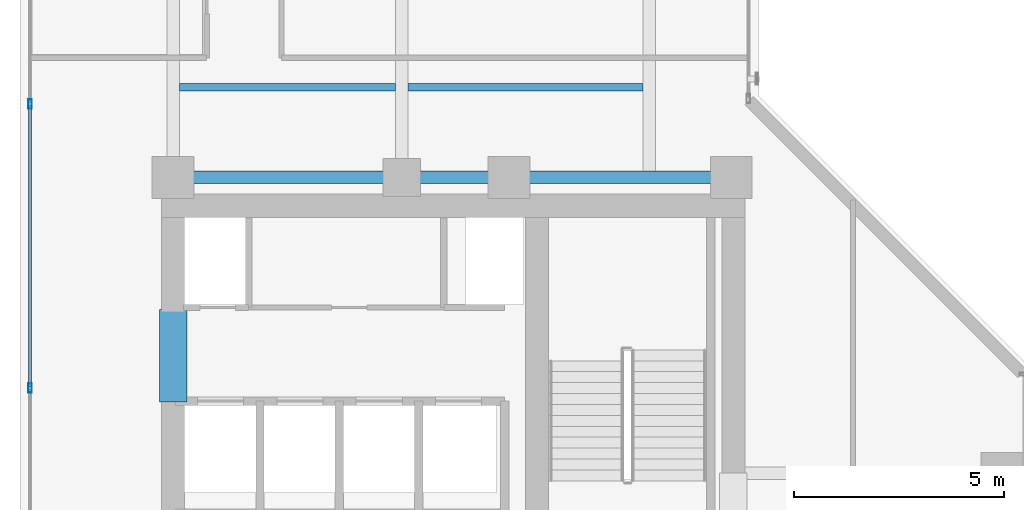
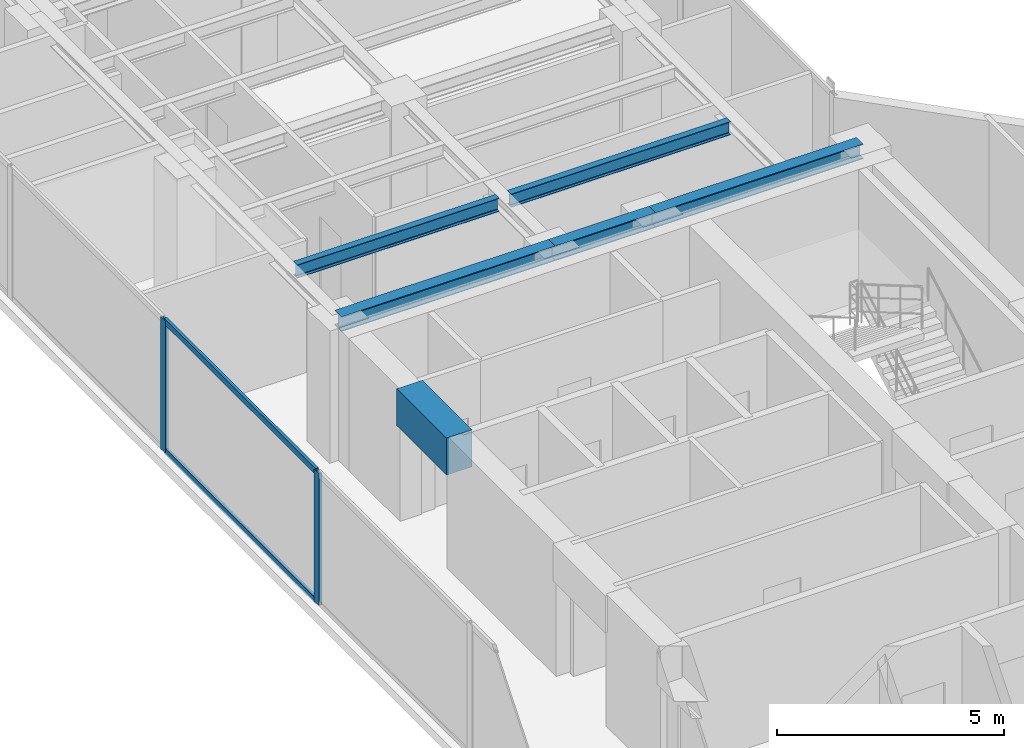
# One storey, part 7 of 23: 6 beams, 4 members, 1 element without a shape of its own.
"""IFC4 building model written with IfcOpenShell, lengths in metres."""

from ifc_helpers import new_model, si_unit, direction, frame, origin, origin_with_axes, origin_2d, place, context, subcontext, project, spatial, rectangle, hollow_rectangle, i_section, extrude, source, transform, mapped, material, layer, layer_set, material_profile, profile_set, type_object, element, aggregate, save


model = new_model("IFC4")

# Units and contexts
model_context = context("Model", 3, precision=1e-05, world=origin(), true_north=direction((0.0, 1.0)))
body_context = subcontext(model_context, "Body", "Model", "MODEL_VIEW")
ifc_project = project(units=[si_unit("LENGTHUNIT", "METRE"), si_unit("AREAUNIT", "SQUARE_METRE"), si_unit("VOLUMEUNIT", "CUBIC_METRE"), si_unit("PLANEANGLEUNIT", "RADIAN"), si_unit("MASSUNIT", "GRAM", prefix="KILO")], contexts=[model_context])

# Site, building, storey
site_placement = place(None, origin())
site = spatial("IfcSite", under=ifc_project, at=site_placement, CompositionType="ELEMENT")
building_placement = place(site_placement, origin())
building = spatial("IfcBuilding", under=site, at=building_placement, Name="Kolvaren Waterfront Exchange", CompositionType="ELEMENT")
storey_placement = place(building_placement, frame((0.0, 0.0, 231.10009765625)))
storey = spatial("IfcBuildingStorey", under=building, at=storey_placement, Name="L59", CompositionType="ELEMENT", Elevation=231.10009765625)

# Beams
ifc_material_1 = material(Name="Steel S355", Category="steel")
ifc_material_profile_1 = material_profile(ifc_material_1, i_section(OverallWidth=0.300048828125, OverallDepth=0.39990234375, WebThickness=0.013427734375, FlangeThickness=0.02392578125, FilletRadius=0.027099609375, at=origin_2d()), Name="HEB400")
ifc_profile_set_1 = profile_set([ifc_material_profile_1], Name="Steel S355")
beam_type_1 = type_object("IfcBeamType", Name="STR-BM-HEB400", PredefinedType="BEAM", material=ifc_profile_set_1)
beam_1_placement = place(storey_placement, frame((7.449951171875, 24.449951171875, 3.35986328125), z_axis=(1.0, 0.0, 0.0), x_axis=(0.0, 1.0, 0.0)))
element("IfcBeam", 1, at=beam_1_placement, inside=storey, type_object=beam_type_1, Name="L59 north-arm girder 1A", PredefinedType="BEAM", context=body_context, shape_type="SweptSolid", body=[
    extrude(i_section(OverallWidth=0.300048828125, OverallDepth=0.39990234375, WebThickness=0.013427734375, FlangeThickness=0.02392578125, FilletRadius=0.027099609375, at=origin_2d()), origin(), (0.0, 0.0, 1.0), 5.449951171875),
])
beam_2_placement = place(storey_placement, frame((12.89990234375, 24.449951171875, 3.35986328125), z_axis=(1.0, 0.0, 0.0), x_axis=(0.0, 1.0, 0.0)))
element("IfcBeam", 2, at=beam_2_placement, inside=storey, type_object=beam_type_1, Name="L59 north-arm girder 1B", PredefinedType="BEAM", context=body_context, shape_type="SweptSolid", body=[
    extrude(i_section(OverallWidth=0.300048828125, OverallDepth=0.39990234375, WebThickness=0.013427734375, FlangeThickness=0.02392578125, FilletRadius=0.027099609375, at=origin_2d()), origin(), (0.0, 0.0, 1.0), 2.550048828125),
])
beam_3_placement = place(storey_placement, frame((15.449951171875, 24.449951171875, 3.35986328125), z_axis=(1.0, 0.0, 0.0), x_axis=(0.0, 1.0, 0.0)))
element("IfcBeam", 3, at=beam_3_placement, inside=storey, type_object=beam_type_1, Name="L59 north-arm girder 1C", PredefinedType="BEAM", context=body_context, shape_type="SweptSolid", body=[
    extrude(i_section(OverallWidth=0.300048828125, OverallDepth=0.39990234375, WebThickness=0.013427734375, FlangeThickness=0.02392578125, FilletRadius=0.027099609375, at=origin_2d()), origin(), (0.0, 0.0, 1.0), 5.300048828125),
])
ifc_material_profile_2 = material_profile(ifc_material_1, i_section(OverallWidth=0.169921875, OverallDepth=0.360107421875, WebThickness=0.008056640625, FlangeThickness=0.0126953125, FilletRadius=0.01806640625, at=origin_2d()), Name="IPE360")
ifc_profile_set_2 = profile_set([ifc_material_profile_2], Name="Steel S355")
beam_type_2 = type_object("IfcBeamType", Name="STR-BM-IPE360", PredefinedType="JOIST", material=ifc_profile_set_2)
beam_4_placement = place(storey_placement, frame((7.60205078125, 26.60009765625, 3.3798828125), z_axis=(1.0, 0.0, 0.0), x_axis=(0.0, 1.0, 0.0)))
element("IfcBeam", 4, at=beam_4_placement, inside=storey, type_object=beam_type_2, Name="L59 north-arm composite joist 1A", PredefinedType="JOIST", context=body_context, shape_type="SweptSolid", body=[
    extrude(i_section(OverallWidth=0.169921875, OverallDepth=0.360107421875, WebThickness=0.008056640625, FlangeThickness=0.0126953125, FilletRadius=0.01806640625, at=origin_2d()), origin(), (0.0, 0.0, 1.0), 5.14599609375),
])
beam_5_placement = place(storey_placement, frame((13.052001953125, 26.60009765625, 3.3798828125), z_axis=(1.0, 0.0, 0.0), x_axis=(0.0, 1.0, 0.0)))
element("IfcBeam", 5, at=beam_5_placement, inside=storey, type_object=beam_type_2, Name="L59 north-arm composite joist 1B", PredefinedType="JOIST", context=body_context, shape_type="SweptSolid", body=[
    extrude(i_section(OverallWidth=0.169921875, OverallDepth=0.360107421875, WebThickness=0.008056640625, FlangeThickness=0.0126953125, FilletRadius=0.01806640625, at=origin_2d()), origin(), (0.0, 0.0, 1.0), 5.595947265625),
])
ifc_material_2 = material(Name="Concrete C60/75", Category="concrete")
ifc_material_profile_3 = material_profile(ifc_material_2, rectangle(XDim=0.64990234375, YDim=1.0, at=origin_2d()), Name="RC-CB-1000x650")
ifc_profile_set_3 = profile_set([ifc_material_profile_3], Name="Concrete C60/75")
beam_type_3 = type_object("IfcBeamType", Name="STR-CB-1000", PredefinedType="SPANDREL", material=ifc_profile_set_3)
beam_6_placement = place(storey_placement, frame((7.449951171875, 19.10009765625, 3.059814453125), z_axis=(0.0, 1.0, 0.0), x_axis=(-1.0, 0.0, 0.0)))
element("IfcBeam", 6, at=beam_6_placement, inside=storey, type_object=beam_type_3, Name="L59 core coupling beam 5", PredefinedType="SPANDREL", context=body_context, shape_type="SweptSolid", body=[
    extrude(rectangle(XDim=0.64990234375, YDim=1.0, at=origin_2d()), origin(), (0.0, 0.0, 1.0), 2.199951171875),
])

# Curtain wall, members
ifc_material_3 = material(Name="Anodised aluminium 6063-T6", Category="aluminium")
ifc_layer = layer(ifc_material_3, 0.219970703125, Name="Anodised aluminium 6063-T6")
ifc_layer_set = layer_set([ifc_layer], Name="Anodised aluminium 6063-T6")
curtain_wall_type = type_object("IfcCurtainWallType", Name="ARC-CW-SYS2", PredefinedType="USERDEFINED", material=ifc_layer_set)
curtain_wall_placement = place(storey_placement, origin())
curtain_wall = element("IfcCurtainWall", 7, at=curtain_wall_placement, inside=storey, type_object=curtain_wall_type, Name="L59 stick curtain wall CW2 (CW-L59-W)", ObjectType="STICK CURTAIN WALL", PredefinedType="USERDEFINED")
ifc_material_profile_4 = material_profile(ifc_material_3, hollow_rectangle(XDim=0.074951171875, YDim=0.159912109375, WallThickness=0.00439453125, at=origin_2d()), Name="ALU-TRN-160x75x4.5")
ifc_profile_set_4 = profile_set([ifc_material_profile_4], Name="Anodised aluminium 6063-T6")
member_type_1 = type_object("IfcMemberType", Name="ARC-CWT-160", PredefinedType="USERDEFINED", material=ifc_profile_set_4)
shared_shape_1 = source(origin_with_axes(), body_context, "Body", "SweptSolid", [
    extrude(hollow_rectangle(XDim=0.074951171875, YDim=0.159912109375, WallThickness=0.00439453125, at=origin_2d()), origin(), (0.0, 0.0, 1.0), 6.6865234375),
])
member_1_placement = place(storey_placement, frame((4.0400390625, 19.473388671875, 0.037353515625), z_axis=(0.0, 1.0, 0.0), x_axis=(-1.0, 0.0, 0.0)))
member_1 = element("IfcMember", 8, at=member_1_placement, type_object=member_type_1, Name="CW2 transom 3.1", ObjectType="TRANSOM", PredefinedType="USERDEFINED", context=body_context, shape_type="MappedRepresentation", body=[
    mapped(shared_shape_1, transform((0.0, 0.0, 0.0), x_axis=(1.0, 0.0, 0.0), y_axis=(0.0, 1.0, 0.0), z_axis=(0.0, 0.0, 1.0), scale=1.0)),
])
member_2_placement = place(storey_placement, frame((4.0400390625, 19.473388671875, 3.5224609375), z_axis=(0.0, 1.0, 0.0), x_axis=(-1.0, 0.0, 0.0)))
member_2 = element("IfcMember", 9, at=member_2_placement, type_object=member_type_1, Name="CW2 transom 3.2", ObjectType="TRANSOM", PredefinedType="USERDEFINED", context=body_context, shape_type="MappedRepresentation", body=[
    mapped(shared_shape_1, transform((0.0, 0.0, 0.0), x_axis=(1.0, 0.0, 0.0), y_axis=(0.0, 1.0, 0.0), z_axis=(0.0, 0.0, 1.0), scale=1.0)),
])
ifc_material_profile_5 = material_profile(ifc_material_3, hollow_rectangle(XDim=0.080078125, YDim=0.219970703125, WallThickness=0.0048828125, at=origin_2d()), Name="ALU-MUL-220x80x5")
ifc_profile_set_5 = profile_set([ifc_material_profile_5], Name="Anodised aluminium 6063-T6")
member_type_2 = type_object("IfcMemberType", Name="ARC-CWM-220", PredefinedType="MULLION", material=ifc_profile_set_5)
shared_shape_2 = source(origin_with_axes(), body_context, "Body", "SweptSolid", [
    extrude(hollow_rectangle(XDim=0.080078125, YDim=0.219970703125, WallThickness=0.0048828125, at=origin_2d()), origin(), (0.0, 0.0, 1.0), 3.559814453125),
])
member_3_placement = place(storey_placement, frame((4.0400390625, 19.433349609375, 0.0), z_axis=(0.0, 0.0, 1.0), x_axis=(-1.0, 0.0, 0.0)))
member_3 = element("IfcMember", 10, at=member_3_placement, type_object=member_type_2, Name="CW2 mullion 3", PredefinedType="MULLION", context=body_context, shape_type="MappedRepresentation", body=[
    mapped(shared_shape_2, transform((0.0, 0.0, 0.0), x_axis=(1.0, 0.0, 0.0), y_axis=(0.0, 1.0, 0.0), z_axis=(0.0, 0.0, 1.0), scale=1.0)),
])
member_4_placement = place(storey_placement, frame((4.0400390625, 26.199951171875, 0.0), z_axis=(0.0, 0.0, 1.0), x_axis=(-1.0, 0.0, 0.0)))
member_4 = element("IfcMember", 11, at=member_4_placement, type_object=member_type_2, Name="CW2 mullion 4", PredefinedType="MULLION", context=body_context, shape_type="MappedRepresentation", body=[
    mapped(shared_shape_2, transform((0.0, 0.0, 0.0), x_axis=(1.0, 0.0, 0.0), y_axis=(0.0, 1.0, 0.0), z_axis=(0.0, 0.0, 1.0), scale=1.0)),
])
aggregate(curtain_wall, [member_3, member_4, member_1, member_2])

save(model, "model.ifc")
